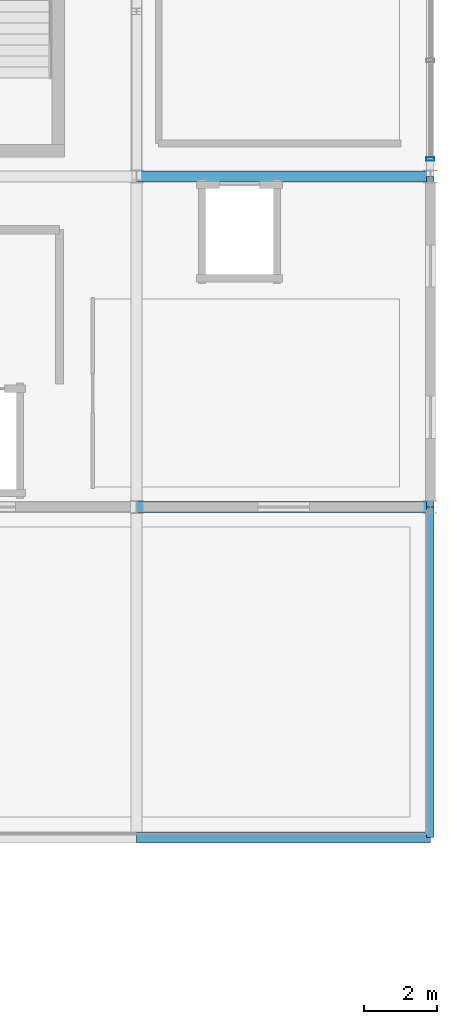
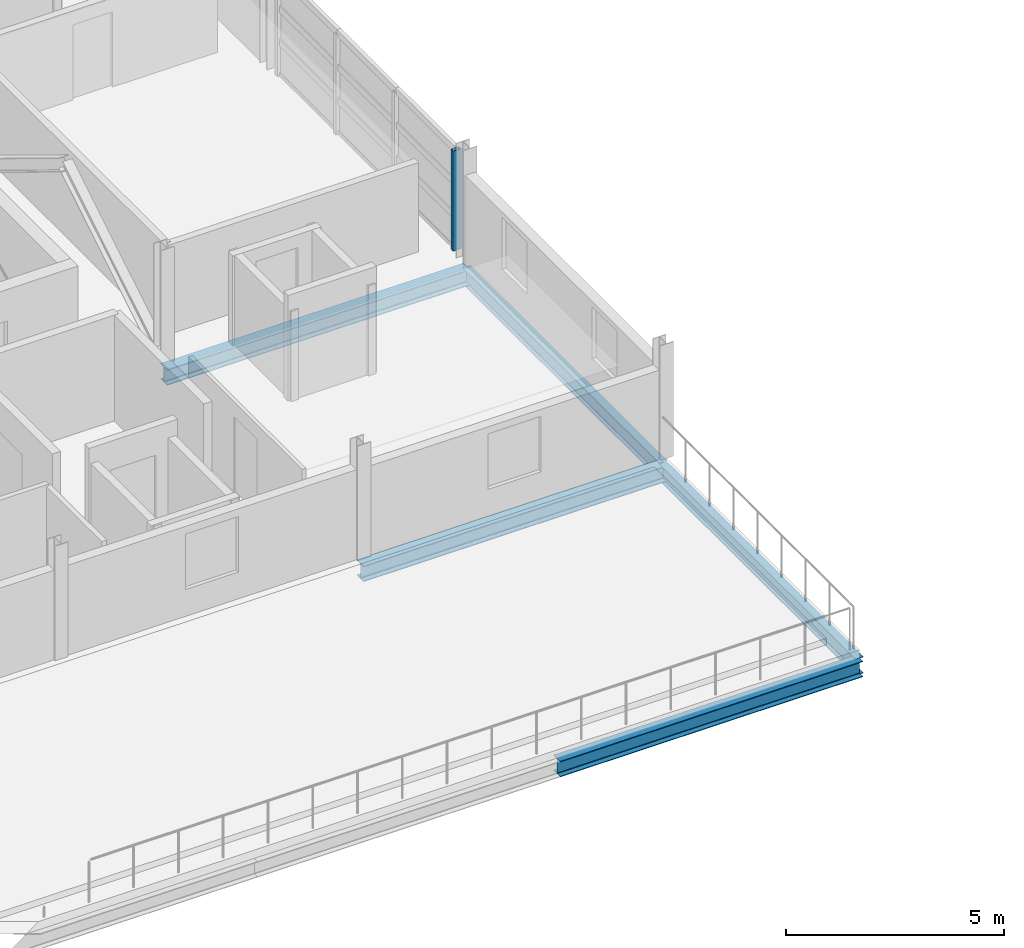
# One storey, part 16 of 30: 5 beams, 1 member, 1 element without a shape of its own.
"""IFC4 building model written with IfcOpenShell, lengths in metres."""

import ifcopenshell
import ifcopenshell.guid

model = None  # the IFC model being written
_history = None  # IfcOwnerHistory: only IFC2X3 demands one
_inside = {}  # id of a spatial element -> (the spatial element, [elements in it])
_under = {}  # id of a project, library or spatial element -> (it, [spatial elements below it])
_declared = {}  # id of a project -> (the project, [libraries it declares])
_typed = {}  # id of a type object -> (the type object, [elements of that type])
_made_of = {}  # id of a material, layer set ... -> (it, [elements and type objects made of it])


def new_model(schema):
    """Start an empty IFC model of exactly this schema.

    Asked for "IFC4X3", IfcOpenShell would pick the latest addendum, in which some entities
    have other attributes; the version numbers below select the first issue.
    IFC2X3 requires an IfcOwnerHistory on every rooted entity: one is made here for all.
    """
    global model, _history
    if schema == "IFC4X3":
        model = ifcopenshell.file(schema_version=(4, 3, 0, 0))
    else:
        model = ifcopenshell.file(schema=schema)
    _inside.clear()
    _under.clear()
    _declared.clear()
    _typed.clear()
    _made_of.clear()
    _history = None
    if model.schema == "IFC2X3":
        org = make("IfcOrganization", Name="unknown")
        user = make(
            "IfcPersonAndOrganization",
            ThePerson=make("IfcPerson", FamilyName="unknown"),
            TheOrganization=org,
        )
        app = make(
            "IfcApplication",
            ApplicationDeveloper=org,
            Version="unknown",
            ApplicationFullName="unknown",
            ApplicationIdentifier="unknown",
        )
        _history = make(
            "IfcOwnerHistory",
            OwningUser=user,
            OwningApplication=app,
            ChangeAction="ADDED",
            CreationDate=0,
        )
    return model


def make(cls, **values):
    """One entity of the class cls with the attributes given. An attribute that is None is left unset."""
    return model.create_entity(
        cls, **{name: value for name, value in values.items() if value is not None}
    )


def rooted(cls, **values):
    """An entity with a GlobalId (a new one), such as an element, a storey or a relation."""
    return make(cls, GlobalId=ifcopenshell.guid.new(), OwnerHistory=_history, **values)


def si_unit(unit_type, name, prefix=None):
    """IfcSIUnit, for example si_unit("LENGTHUNIT", "METRE", prefix="MILLI")."""
    return make("IfcSIUnit", UnitType=unit_type, Prefix=prefix, Name=name)


def assignment(units):
    """IfcUnitAssignment: the units of a project."""
    return None if units is None else make("IfcUnitAssignment", Units=units)


def point(xyz):
    """IfcCartesianPoint."""
    return None if xyz is None else make("IfcCartesianPoint", Coordinates=xyz)


def direction(xyz):
    """IfcDirection."""
    return None if xyz is None else make("IfcDirection", DirectionRatios=xyz)


def frame(location, z_axis=None, x_axis=None):
    """IfcAxis2Placement3D, a coordinate frame: its origin and axes. An axis left out is left unset."""
    return make(
        "IfcAxis2Placement3D",
        Location=point(location),
        Axis=direction(z_axis),
        RefDirection=direction(x_axis),
    )


def frame_2d(location, x_axis=None):
    """IfcAxis2Placement2D, a coordinate frame in the plane: its origin and x axis."""
    return make(
        "IfcAxis2Placement2D", Location=point(location), RefDirection=direction(x_axis)
    )


def origin():
    """The frame at (0, 0, 0) with its axes left unset."""
    return frame((0.0, 0.0, 0.0))


def origin_2d():
    """The frame at (0, 0) in the plane with its x axis left unset."""
    return frame_2d((0.0, 0.0))


def place(relative_to, where):
    """IfcLocalPlacement: puts the frame where relative to a parent placement (None: the world)."""
    return make(
        "IfcLocalPlacement", PlacementRelTo=relative_to, RelativePlacement=where
    )


def context(
    kind, dimensions, precision=None, world=None, true_north=None, identifier=None
):
    """IfcGeometricRepresentationContext, for example the 3D "Model" context."""
    return make(
        "IfcGeometricRepresentationContext",
        ContextIdentifier=identifier,
        ContextType=kind,
        CoordinateSpaceDimension=dimensions,
        Precision=precision,
        WorldCoordinateSystem=world,
        TrueNorth=true_north,
    )


def subcontext(parent, identifier, kind, view, scale=None):
    """IfcGeometricRepresentationSubContext, for example "Body" below "Model"."""
    return make(
        "IfcGeometricRepresentationSubContext",
        ContextIdentifier=identifier,
        ContextType=kind,
        ParentContext=parent,
        TargetScale=scale,
        TargetView=view,
    )


def project(units=None, contexts=None):
    """IfcProject with its units and contexts."""
    return rooted(
        "IfcProject",
        Name="project",
        RepresentationContexts=contexts,
        UnitsInContext=assignment(units),
    )


def spatial(cls, under=None, at=None, **own):
    """A site, building, storey or space (cls), placed at a placement, below another one or the project."""
    s = rooted(cls, ObjectPlacement=at, **own)
    if under is not None:
        _under.setdefault(under.id(), (under, []))[1].append(s)
    return s


def profile(cls, at=None, kind="AREA", **sizes):
    """A parametric profile (cls). Its sizes go by their IFC names, for example OverallWidth=200.0."""
    return make(cls, ProfileType=kind, Position=at, **sizes)


def hollow_rectangle(**sizes):
    """IfcRectangleHollowProfileDef."""
    return profile("IfcRectangleHollowProfileDef", **sizes)


def i_section(**sizes):
    """IfcIShapeProfileDef."""
    return profile("IfcIShapeProfileDef", **sizes)


def extrude(swept, where, along, depth):
    """IfcExtrudedAreaSolid: the profile swept, set in the frame where, extruded along a direction by depth."""
    return make(
        "IfcExtrudedAreaSolid",
        SweptArea=swept,
        Position=where,
        ExtrudedDirection=direction(along),
        Depth=depth,
    )


def shape(context_of_items, identifier, shape_type, items):
    """IfcShapeRepresentation: the items that make up one representation, for example the "Body"."""
    return make(
        "IfcShapeRepresentation",
        ContextOfItems=context_of_items,
        RepresentationIdentifier=identifier,
        RepresentationType=shape_type,
        Items=items,
    )


def material(Name=None, Category=None):
    """IfcMaterial."""
    return make("IfcMaterial", Name=Name, Category=Category)


def material_profile(
    of_material, cross_section, Name=None, Category=None, Priority=None
):
    """IfcMaterialProfile: a cross section and its material."""
    return make(
        "IfcMaterialProfile",
        Name=Name,
        Material=of_material,
        Profile=cross_section,
        Priority=Priority,
        Category=Category,
    )


def profile_set(profiles, Name=None, composite=None):
    """IfcMaterialProfileSet."""
    return make(
        "IfcMaterialProfileSet",
        Name=Name,
        MaterialProfiles=profiles,
        CompositeProfile=composite,
    )


def made_of(thing, what):
    """Note that an element or type object is made of a material, layer set ...; save() writes the relation."""
    if what is not None:
        _made_of.setdefault(what.id(), (what, []))[1].append(thing)
    return thing


def type_object(cls, material=None, **own):
    """A type object (cls), such as IfcWallType, which elements share."""
    return made_of(rooted(cls, **own), material)


def element(
    cls,
    number,
    at=None,
    inside=None,
    cuts=None,
    type_object=None,
    material=None,
    context=None,
    identifier="Body",
    shape_type=None,
    held_by="IfcProductDefinitionShape",
    body=None,
    shapes=None,
    **own,
):
    """One element of the class cls, such as IfcWall. Its Tag is "e" and its number.

    at: its placement. inside: the storey or other place that contains it. cuts: it is an
    opening in that element (IfcRelVoidsElement). A single representation is given by context,
    identifier, shape_type and body (its items); several are given by shapes. held_by: the class
    of the entity that holds the representations. save() writes the other relations.
    """
    e = rooted(cls, Tag="e%d" % number, ObjectPlacement=at, **own)
    if body is not None:
        shapes = [shape(context, identifier, shape_type, body)]
    if shapes is not None:
        e.Representation = make(held_by, Representations=shapes)
    if inside is not None:
        _inside.setdefault(inside.id(), (inside, []))[1].append(e)
    if cuts is not None:
        rooted(
            "IfcRelVoidsElement", RelatingBuildingElement=cuts, RelatedOpeningElement=e
        )
    if type_object is not None:
        _typed.setdefault(type_object.id(), (type_object, []))[1].append(e)
    return made_of(e, material)


def aggregate(whole, parts):
    """IfcRelAggregates: a whole, such as a stair, and the parts it consists of."""
    return rooted("IfcRelAggregates", RelatingObject=whole, RelatedObjects=parts)


def save(model, path):
    """Write the relations noted so far, then the file.

    IfcRelAggregates (storeys below a building ...), IfcRelContainedInSpatialStructure (elements
    in a storey), IfcRelDefinesByType, IfcRelAssociatesMaterial and IfcRelDeclares: one each for
    every whole, place, type object, material and project.
    """
    for whole, parts in _under.values():
        aggregate(whole, parts)
    for where, things in _inside.values():
        rooted(
            "IfcRelContainedInSpatialStructure",
            RelatedElements=things,
            RelatingStructure=where,
        )
    for kind, things in _typed.values():
        rooted("IfcRelDefinesByType", RelatedObjects=things, RelatingType=kind)
    for what, things in _made_of.values():
        rooted("IfcRelAssociatesMaterial", RelatedObjects=things, RelatingMaterial=what)
    for by, libraries in _declared.values():
        rooted("IfcRelDeclares", RelatingContext=by, RelatedDefinitions=libraries)
    model.write(path)


model = new_model("IFC4")

# Units and contexts
model_context = context("Model", 3, precision=1e-05, world=origin(), true_north=direction((0.0, 1.0)))
body_context = subcontext(model_context, "Body", "Model", "MODEL_VIEW")
ifc_project = project(units=[si_unit("LENGTHUNIT", "METRE"), si_unit("AREAUNIT", "SQUARE_METRE"), si_unit("VOLUMEUNIT", "CUBIC_METRE"), si_unit("PLANEANGLEUNIT", "RADIAN"), si_unit("MASSUNIT", "GRAM", prefix="KILO")], contexts=[model_context])

# Site, building, storey
site_placement = place(None, origin())
site = spatial("IfcSite", under=ifc_project, at=site_placement, CompositionType="ELEMENT")
building_placement = place(site_placement, origin())
building = spatial("IfcBuilding", under=site, at=building_placement, Name="Chuanluo Vaults Station", CompositionType="ELEMENT")
storey_placement = place(building_placement, frame((0.0, 0.0, 17.60009765625)))
storey = spatial("IfcBuildingStorey", under=building, at=storey_placement, Name="L04", CompositionType="ELEMENT", Elevation=17.60009765625)

# Beams
ifc_material_1 = material(Name="Steel Q355C", Category="steel")
ifc_material_profile_1 = material_profile(ifc_material_1, i_section(OverallWidth=0.300048828125, OverallDepth=0.43994140625, WebThickness=0.010986328125, FlangeThickness=0.01806640625, FilletRadius=0.02001953125, at=origin_2d()))
ifc_profile_set_1 = profile_set([ifc_material_profile_1], Name="Steel Q355C")
beam_type_1 = type_object("IfcBeamType", Name="BM-GRD-450", PredefinedType="USERDEFINED", material=ifc_profile_set_1)
for number, where, z_axis, x_axis, name in (
    (1, (180.0, 67.5, -0.4501953125), (1.0, 0.0, 0.0), (0.0, 1.0, 0.0), "Floor girder BM:GX:L04:0860"),
    (2, (180.0, 76.5, -0.4501953125), (1.0, 0.0, 0.0), (0.0, 1.0, 0.0), "Floor girder BM:GX:L04:0865"),
    (3, (180.0, 85.5, -0.420166015625), (1.0, 0.0, 0.0), (0.0, 1.0, 0.0), "Floor girder BM:GX:L04:0870"),
):
    element("IfcBeam", number, at=place(storey_placement, frame(where, z_axis=z_axis, x_axis=x_axis)), inside=storey, type_object=beam_type_1, Name=name, ObjectType="GIRDER", PredefinedType="USERDEFINED", context=body_context, shape_type="SweptSolid", body=[
        extrude(i_section(OverallWidth=0.300048828125, OverallDepth=0.43994140625, WebThickness=0.010986328125, FlangeThickness=0.01806640625, FilletRadius=0.02001953125, at=origin_2d()), origin(), (0.0, 0.0, 1.0), 8.0),
    ])
ifc_material_2 = material(Name="Steel Q355C", Category="steel")
ifc_material_profile_2 = material_profile(ifc_material_2, i_section(OverallWidth=0.205078125, OverallDepth=0.4599609375, WebThickness=0.009033203125, FlangeThickness=0.013916015625, FilletRadius=0.01611328125, at=origin_2d()))
ifc_profile_set_2 = profile_set([ifc_material_profile_2], Name="Steel Q355C")
beam_type_2 = type_object("IfcBeamType", Name="BM-SPN-450", PredefinedType="SPANDREL", material=ifc_profile_set_2)
for number, where, z_axis, x_axis, name in (
    (4, (188.0, 67.5, -0.460205078125), (0.0, 1.0, 0.0), (-1.0, 0.0, 0.0), "Floor girder BM:GY:L04:0948"),
    (5, (188.0, 76.5, -0.43017578125), (0.0, 1.0, 0.0), (-1.0, 0.0, 0.0), "Floor girder BM:GY:L04:0949"),
):
    element("IfcBeam", number, at=place(storey_placement, frame(where, z_axis=z_axis, x_axis=x_axis)), inside=storey, type_object=beam_type_2, Name=name, PredefinedType="SPANDREL", context=body_context, shape_type="SweptSolid", body=[
        extrude(i_section(OverallWidth=0.205078125, OverallDepth=0.4599609375, WebThickness=0.009033203125, FlangeThickness=0.013916015625, FilletRadius=0.01611328125, at=origin_2d()), origin(), (0.0, 0.0, 1.0), 9.0),
    ])

# Curtain wall, member
ifc_material_3 = material(Name="Anodised aluminium 6063-T6", Category="aluminium")
curtain_wall_type = type_object("IfcCurtainWallType", Name="CW-SYS-20", PredefinedType="NOTDEFINED", material=ifc_material_3)
curtain_wall_placement = place(storey_placement, origin())
curtain_wall = element("IfcCurtainWall", 6, at=curtain_wall_placement, inside=storey, type_object=curtain_wall_type, Name="Operations L04 facade CW", PredefinedType="NOTDEFINED")
ifc_material_4 = material(Name="Anodised aluminium 6063-T6", Category="aluminium")
ifc_material_profile_3 = material_profile(ifc_material_4, hollow_rectangle(XDim=0.10498046875, YDim=0.219970703125, WallThickness=0.006103515625, at=origin_2d()))
ifc_profile_set_3 = profile_set([ifc_material_profile_3], Name="Anodised aluminium 6063-T6")
member_type = type_object("IfcMemberType", Name="CWM-140", PredefinedType="MULLION", material=ifc_profile_set_3)
member_placement = place(storey_placement, frame((188.0, 85.97509765625, 0.0), z_axis=(0.0, 0.0, 1.0), x_axis=(0.0, -1.0, 0.0)))
member = element("IfcMember", 7, at=member_placement, type_object=member_type, Name="Operations L04 facade CW mullion 4", PredefinedType="MULLION", context=body_context, shape_type="SweptSolid", body=[
    extrude(hollow_rectangle(XDim=0.10498046875, YDim=0.219970703125, WallThickness=0.006103515625, at=origin_2d()), origin(), (0.0, 0.0, 1.0), 2.7998046875),
])
aggregate(curtain_wall, [member])

save(model, "model.ifc")
